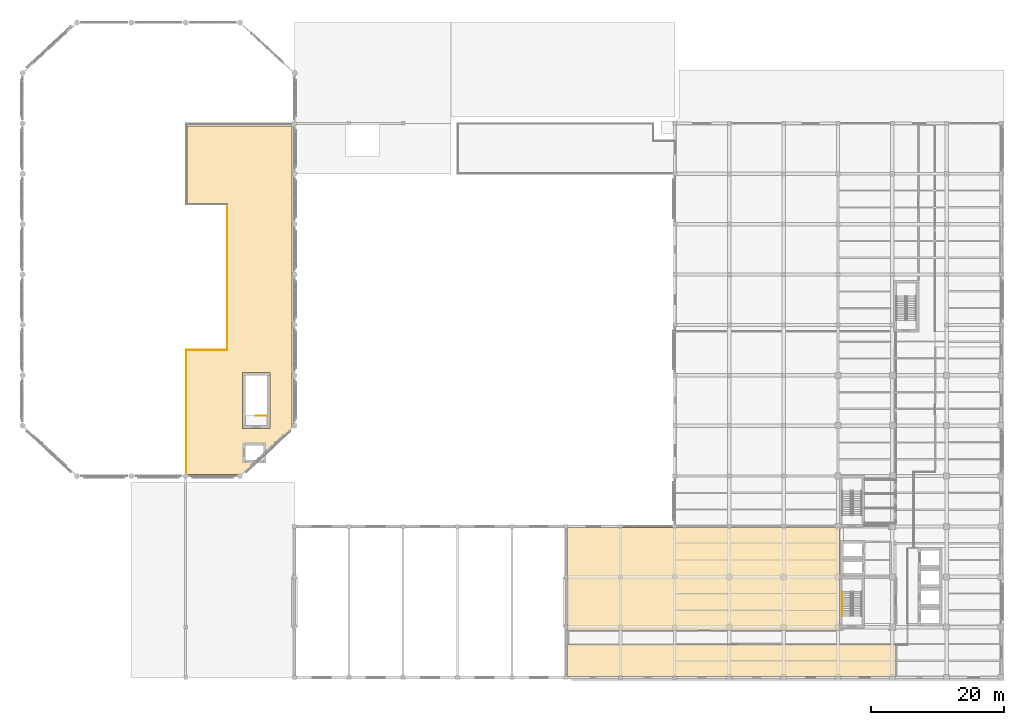
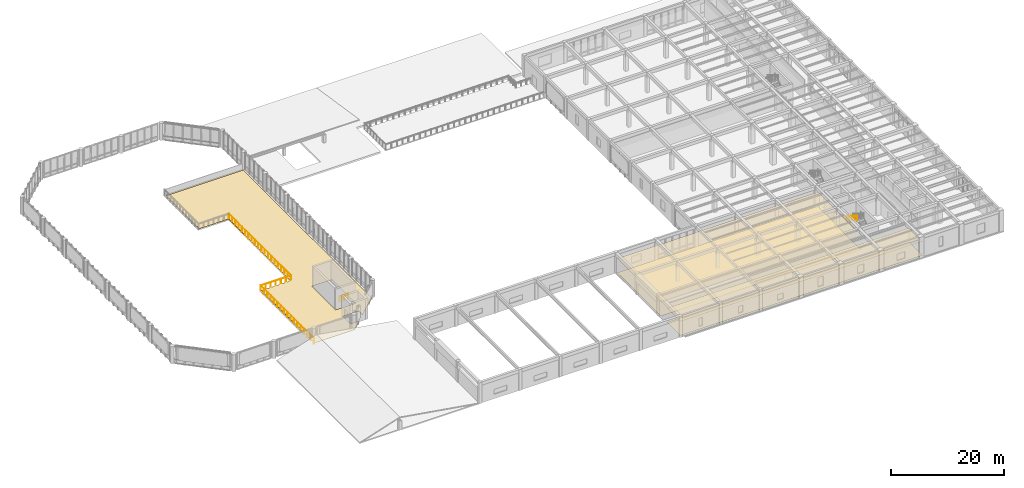
# One storey, part 46 of 49: 5 coverings, 5 railings.
"""IFC4 building model written with IfcOpenShell, lengths in metres."""

from ifc_helpers import new_model, si_unit, direction, frame, origin, origin_2d, place, context, subcontext, project, spatial, polyline, circle, outline, extrude, material, layer, layer_set, type_object, element, save


model = new_model("IFC4")

# Units and contexts
model_context = context("Model", 3, precision=1e-05, world=origin(), true_north=direction((0.0, 1.0)))
body_context = subcontext(model_context, "Body", "Model", "MODEL_VIEW")
ifc_project = project(units=[si_unit("LENGTHUNIT", "METRE"), si_unit("AREAUNIT", "SQUARE_METRE"), si_unit("VOLUMEUNIT", "CUBIC_METRE"), si_unit("PLANEANGLEUNIT", "RADIAN"), si_unit("MASSUNIT", "GRAM", prefix="KILO")], contexts=[model_context])

# Site, building, storey
site_placement = place(None, origin())
site = spatial("IfcSite", under=ifc_project, at=site_placement, CompositionType="ELEMENT")
building_placement = place(site_placement, origin())
building = spatial("IfcBuilding", under=site, at=building_placement, Name="Qandaris Square Conservatory and Botanical Centre", CompositionType="ELEMENT")
storey_placement = place(building_placement, frame((0.0, 0.0, 10.199951171875)))
storey = spatial("IfcBuildingStorey", under=building, at=storey_placement, Name="L02", CompositionType="ELEMENT", Elevation=10.199951171875)

# Railings
ifc_material_1 = material(Name="Tempered Low-E Glass", Category="glass")
railing_type_1 = type_object("IfcRailingType", Name="Conservatory Skywalk Glazed Balustrade 1150mm", PredefinedType="BALUSTRADE", material=ifc_material_1)
railing_1_placement = place(storey_placement, frame((40.8798828125, 47.080078125, 0.0)))
element("IfcRailing", 1, at=railing_1_placement, inside=storey, type_object=railing_type_1, Name="Conservatory L02 Overlook Balustrade 1", PredefinedType="BALUSTRADE", context=body_context, shape_type="SweptSolid", body=[
    extrude(circle(Radius=0.02392578125, at=origin_2d()), frame((0.0, 0.0, 1.1259765625), z_axis=(0.0, 1.0, 0.0), x_axis=(-1.0, 0.0, 0.0)), (0.0, 0.0, 1.0), 18.919921875),
    extrude(circle(Radius=0.02099609375, at=origin_2d()), origin(), (0.0, 0.0, 1.0), 1.101806640625),
    extrude(circle(Radius=0.02099609375, at=origin_2d()), frame((0.0, 1.1826171875, 0.0)), (0.0, 0.0, 1.0), 1.101806640625),
    extrude(circle(Radius=0.02099609375, at=origin_2d()), frame((0.0, 2.364990234375, 0.0)), (0.0, 0.0, 1.0), 1.101806640625),
    extrude(circle(Radius=0.02099609375, at=origin_2d()), frame((0.0, 3.54736328125, 0.0)), (0.0, 0.0, 1.0), 1.101806640625),
    extrude(circle(Radius=0.02099609375, at=origin_2d()), frame((0.0, 4.72998046875, 0.0)), (0.0, 0.0, 1.0), 1.101806640625),
    extrude(circle(Radius=0.02099609375, at=origin_2d()), frame((0.0, 5.91259765625, 0.0)), (0.0, 0.0, 1.0), 1.101806640625),
    extrude(circle(Radius=0.02099609375, at=origin_2d()), frame((0.0, 7.094970703125, 0.0)), (0.0, 0.0, 1.0), 1.101806640625),
    extrude(circle(Radius=0.02099609375, at=origin_2d()), frame((0.0, 8.27734375, 0.0)), (0.0, 0.0, 1.0), 1.101806640625),
    extrude(circle(Radius=0.02099609375, at=origin_2d()), frame((0.0, 9.4599609375, 0.0)), (0.0, 0.0, 1.0), 1.101806640625),
    extrude(circle(Radius=0.02099609375, at=origin_2d()), frame((0.0, 10.642578125, 0.0)), (0.0, 0.0, 1.0), 1.101806640625),
    extrude(circle(Radius=0.02099609375, at=origin_2d()), frame((0.0, 11.824951171875, 0.0)), (0.0, 0.0, 1.0), 1.101806640625),
    extrude(circle(Radius=0.02099609375, at=origin_2d()), frame((0.0, 13.00732421875, 0.0)), (0.0, 0.0, 1.0), 1.101806640625),
    extrude(circle(Radius=0.02099609375, at=origin_2d()), frame((0.0, 14.18994140625, 0.0)), (0.0, 0.0, 1.0), 1.101806640625),
    extrude(circle(Radius=0.02099609375, at=origin_2d()), frame((0.0, 15.37255859375, 0.0)), (0.0, 0.0, 1.0), 1.101806640625),
    extrude(circle(Radius=0.02099609375, at=origin_2d()), frame((0.0, 16.554931640625, 0.0)), (0.0, 0.0, 1.0), 1.101806640625),
    extrude(circle(Radius=0.02099609375, at=origin_2d()), frame((0.0, 17.7373046875, 0.0)), (0.0, 0.0, 1.0), 1.101806640625),
    extrude(circle(Radius=0.02099609375, at=origin_2d()), frame((0.0, 18.919921875, 0.0)), (0.0, 0.0, 1.0), 1.101806640625),
])
railing_2_placement = place(storey_placement, frame((40.8798828125, 66.0, 0.0)))
element("IfcRailing", 2, at=railing_2_placement, inside=storey, type_object=railing_type_1, Name="Conservatory L02 Overlook Balustrade 2", PredefinedType="BALUSTRADE", context=body_context, shape_type="SweptSolid", body=[
    extrude(circle(Radius=0.02392578125, at=origin_2d()), frame((0.0, 0.0, 1.1259765625), z_axis=(1.0, 0.0, 0.0), x_axis=(0.0, 1.0, 0.0)), (0.0, 0.0, 1.0), 6.2001953125),
    extrude(circle(Radius=0.02099609375, at=origin_2d()), origin(), (0.0, 0.0, 1.0), 1.101806640625),
    extrude(circle(Radius=0.02099609375, at=origin_2d()), frame((1.033447265625, 0.0, 0.0)), (0.0, 0.0, 1.0), 1.101806640625),
    extrude(circle(Radius=0.02099609375, at=origin_2d()), frame((2.066650390625, 0.0, 0.0)), (0.0, 0.0, 1.0), 1.101806640625),
    extrude(circle(Radius=0.02099609375, at=origin_2d()), frame((3.10009765625, 0.0, 0.0)), (0.0, 0.0, 1.0), 1.101806640625),
    extrude(circle(Radius=0.02099609375, at=origin_2d()), frame((4.133544921875, 0.0, 0.0)), (0.0, 0.0, 1.0), 1.101806640625),
    extrude(circle(Radius=0.02099609375, at=origin_2d()), frame((5.166748046875, 0.0, 0.0)), (0.0, 0.0, 1.0), 1.101806640625),
    extrude(circle(Radius=0.02099609375, at=origin_2d()), frame((6.2001953125, 0.0, 0.0)), (0.0, 0.0, 1.0), 1.101806640625),
])
railing_3_placement = place(storey_placement, frame((47.080078125, 66.0, 0.0)))
element("IfcRailing", 3, at=railing_3_placement, inside=storey, type_object=railing_type_1, Name="Conservatory L02 Overlook Balustrade 3", PredefinedType="BALUSTRADE", context=body_context, shape_type="SweptSolid", body=[
    extrude(circle(Radius=0.02392578125, at=origin_2d()), frame((0.0, 0.0, 1.1259765625), z_axis=(0.0, 1.0, 0.0), x_axis=(-1.0, 0.0, 0.0)), (0.0, 0.0, 1.0), 22.0),
    extrude(circle(Radius=0.02099609375, at=origin_2d()), origin(), (0.0, 0.0, 1.0), 1.101806640625),
    extrude(circle(Radius=0.02099609375, at=origin_2d()), frame((0.0, 1.157958984375, 0.0)), (0.0, 0.0, 1.0), 1.101806640625),
    extrude(circle(Radius=0.02099609375, at=origin_2d()), frame((0.0, 2.315673828125, 0.0)), (0.0, 0.0, 1.0), 1.101806640625),
    extrude(circle(Radius=0.02099609375, at=origin_2d()), frame((0.0, 3.4736328125, 0.0)), (0.0, 0.0, 1.0), 1.101806640625),
    extrude(circle(Radius=0.02099609375, at=origin_2d()), frame((0.0, 4.631591796875, 0.0)), (0.0, 0.0, 1.0), 1.101806640625),
    extrude(circle(Radius=0.02099609375, at=origin_2d()), frame((0.0, 5.78955078125, 0.0)), (0.0, 0.0, 1.0), 1.101806640625),
    extrude(circle(Radius=0.02099609375, at=origin_2d()), frame((0.0, 6.947265625, 0.0)), (0.0, 0.0, 1.0), 1.101806640625),
    extrude(circle(Radius=0.02099609375, at=origin_2d()), frame((0.0, 8.105224609375, 0.0)), (0.0, 0.0, 1.0), 1.101806640625),
    extrude(circle(Radius=0.02099609375, at=origin_2d()), frame((0.0, 9.26318359375, 0.0)), (0.0, 0.0, 1.0), 1.101806640625),
    extrude(circle(Radius=0.02099609375, at=origin_2d()), frame((0.0, 10.421142578125, 0.0)), (0.0, 0.0, 1.0), 1.101806640625),
    extrude(circle(Radius=0.02099609375, at=origin_2d()), frame((0.0, 11.578857421875, 0.0)), (0.0, 0.0, 1.0), 1.101806640625),
    extrude(circle(Radius=0.02099609375, at=origin_2d()), frame((0.0, 12.73681640625, 0.0)), (0.0, 0.0, 1.0), 1.101806640625),
    extrude(circle(Radius=0.02099609375, at=origin_2d()), frame((0.0, 13.894775390625, 0.0)), (0.0, 0.0, 1.0), 1.101806640625),
    extrude(circle(Radius=0.02099609375, at=origin_2d()), frame((0.0, 15.052734375, 0.0)), (0.0, 0.0, 1.0), 1.101806640625),
    extrude(circle(Radius=0.02099609375, at=origin_2d()), frame((0.0, 16.21044921875, 0.0)), (0.0, 0.0, 1.0), 1.101806640625),
    extrude(circle(Radius=0.02099609375, at=origin_2d()), frame((0.0, 17.368408203125, 0.0)), (0.0, 0.0, 1.0), 1.101806640625),
    extrude(circle(Radius=0.02099609375, at=origin_2d()), frame((0.0, 18.5263671875, 0.0)), (0.0, 0.0, 1.0), 1.101806640625),
    extrude(circle(Radius=0.02099609375, at=origin_2d()), frame((0.0, 19.684326171875, 0.0)), (0.0, 0.0, 1.0), 1.101806640625),
    extrude(circle(Radius=0.02099609375, at=origin_2d()), frame((0.0, 20.842041015625, 0.0)), (0.0, 0.0, 1.0), 1.101806640625),
    extrude(circle(Radius=0.02099609375, at=origin_2d()), frame((0.0, 22.0, 0.0)), (0.0, 0.0, 1.0), 1.101806640625),
])

# Coverings
ifc_material_2 = material(Name="Honed Qatari Limestone", Category="masonry")
ifc_layer_1 = layer(ifc_material_2, 0.030029296875)
ifc_layer_set_1 = layer_set([ifc_layer_1], Name="Honed Qatari Limestone")
covering_type_1 = type_object("IfcCoveringType", Name="Honed Qatari Limestone Concourse Paving", PredefinedType="FLOORING", material=ifc_layer_set_1)
covering_1_placement = place(storey_placement, origin())
element("IfcCovering", 4, at=covering_1_placement, inside=storey, type_object=covering_type_1, Name="Conservatory High Canopy Overlook Flooring", PredefinedType="FLOORING", context=body_context, shape_type="SweptSolid", body=[
    extrude(outline(polyline([(47.0, 66.0), (47.0, 88.0), (41.0, 88.0), (41.0, 99.800048828125), (56.800048828125, 99.800048828125), (56.800048828125, 54.229248046875), (52.739990234375, 50.46630859375), (52.739990234375, 51.840087890625), (49.56005859375, 51.840087890625), (49.56005859375, 49.159912109375), (51.33056640625, 49.159912109375), (49.2158203125, 47.199951171875), (41.0, 47.199951171875), (41.0, 66.0), (47.0, 66.0)]), holes=[polyline([(49.39990234375, 54.199951171875), (53.5, 54.199951171875), (53.5, 62.60009765625), (49.39990234375, 62.60009765625), (49.39990234375, 54.199951171875)])]), origin(), (0.0, 0.0, 1.0), 0.030029296875),
])
ifc_material_3 = material(Name="Gypsum Plasterboard", Category="gypsum")
ifc_layer_2 = layer(ifc_material_3, 0.02490234375)
ifc_layer_set_2 = layer_set([ifc_layer_2], Name="Gypsum Plasterboard")
covering_type_2 = type_object("IfcCoveringType", Name="Perforated Acoustic Lab Ceiling Tile", PredefinedType="CEILING", material=ifc_layer_set_2)
covering_2_placement = place(storey_placement, frame((0.0, 0.0, 3.050048828125)))
element("IfcCovering", 5, at=covering_2_placement, inside=storey, type_object=covering_type_2, Name="Halophyte Herbarium Archive West Ceiling", PredefinedType="CEILING", context=body_context, shape_type="SweptSolid", body=[
    extrude(outline(polyline([(98.60009765625, 21.550048828125), (147.949951171875, 21.550048828125), (147.949951171875, 16.780029296875), (98.3798828125, 16.780029296875), (98.3798828125, 21.550048828125), (98.60009765625, 21.550048828125)])), origin(), (0.0, 0.0, 1.0), 0.02490234375),
])
covering_3_placement = place(storey_placement, frame((0.0, 0.0, 3.050048828125)))
element("IfcCovering", 6, at=covering_3_placement, inside=storey, type_object=covering_type_2, Name="Arid Lands Type Specimen Vault Ceiling", PredefinedType="CEILING", context=body_context, shape_type="SweptSolid", body=[
    extrude(outline(polyline([(114.635009765625, 39.223388671875), (114.65234375, 39.227783203125), (114.6689453125, 39.233642578125), (114.684814453125, 39.2412109375), (114.699462890625, 39.25), (139.5, 39.25), (139.5, 31.89990234375), (139.39990234375, 31.89990234375), (139.39990234375, 24.10009765625), (139.5, 24.10009765625), (139.5, 23.699951171875), (98.60009765625, 23.699951171875), (98.3798828125, 23.699951171875), (98.3798828125, 39.219970703125), (114.60009765625, 39.219970703125), (114.61767578125, 39.220947265625), (114.635009765625, 39.223388671875)])), origin(), (0.0, 0.0, 1.0), 0.02490234375),
])
ifc_material_4 = material(Name="Epoxy Resin Screed", Category="finish")
ifc_layer_3 = layer(ifc_material_4, 0.014892578125)
ifc_layer_set_3 = layer_set([ifc_layer_3], Name="Epoxy Resin Screed")
covering_type_3 = type_object("IfcCoveringType", Name="Seamless Epoxy Laboratory Flooring", PredefinedType="FLOORING", material=ifc_layer_set_3)
covering_4_placement = place(storey_placement, origin())
element("IfcCovering", 7, at=covering_4_placement, inside=storey, type_object=covering_type_3, Name="Halophyte Herbarium Archive West Flooring", PredefinedType="FLOORING", context=body_context, shape_type="SweptSolid", body=[
    extrude(outline(polyline([(98.60009765625, 21.550048828125), (147.949951171875, 21.550048828125), (147.949951171875, 16.780029296875), (98.3798828125, 16.780029296875), (98.3798828125, 21.550048828125), (98.60009765625, 21.550048828125)])), origin(), (0.0, 0.0, 1.0), 0.01513671875),
])
covering_5_placement = place(storey_placement, origin())
element("IfcCovering", 8, at=covering_5_placement, inside=storey, type_object=covering_type_3, Name="Arid Lands Type Specimen Vault Flooring", PredefinedType="FLOORING", context=body_context, shape_type="SweptSolid", body=[
    extrude(outline(polyline([(114.635009765625, 39.223388671875), (114.65234375, 39.227783203125), (114.6689453125, 39.233642578125), (114.684814453125, 39.2412109375), (114.699462890625, 39.25), (139.5, 39.25), (139.5, 31.89990234375), (139.39990234375, 31.89990234375), (139.39990234375, 24.10009765625), (139.5, 24.10009765625), (139.5, 23.699951171875), (98.60009765625, 23.699951171875), (98.3798828125, 23.699951171875), (98.3798828125, 39.219970703125), (114.60009765625, 39.219970703125), (114.61767578125, 39.220947265625), (114.635009765625, 39.223388671875)])), origin(), (0.0, 0.0, 1.0), 0.01513671875),
])

# Railings
ifc_material_5 = material(Name="Stainless Steel", Category="steel")
railing_type_2 = type_object("IfcRailingType", Name="Stair Tubular Handrail 920mm", PredefinedType="HANDRAIL", material=ifc_material_5)
railing_4_placement = place(storey_placement, frame((139.85009765625, 29.5400390625, 2.742919921875)))
element("IfcRailing", 9, at=railing_4_placement, inside=storey, type_object=railing_type_2, Name="L02 ST-1 stair handrail 2", PredefinedType="HANDRAIL", context=body_context, shape_type="SweptSolid", body=[
    extrude(circle(Radius=0.02392578125, at=origin_2d()), frame((0.0, 0.0, 0.89599609375), z_axis=(0.0, -0.852865859571, 0.52213008492), x_axis=(1.0, 0.0, 0.0)), (0.0, 0.0, 1.0), 4.26806640625),
    extrude(circle(Radius=0.02099609375, at=origin_2d()), origin(), (0.0, 0.0, 1.0), 0.871826171875),
    extrude(circle(Radius=0.02099609375, at=origin_2d()), frame((0.0, -0.91015625, 0.55712890625)), (0.0, 0.0, 1.0), 0.871826171875),
    extrude(circle(Radius=0.02099609375, at=origin_2d()), frame((0.0, -1.820068359375, 1.1142578125)), (0.0, 0.0, 1.0), 0.871826171875),
    extrude(circle(Radius=0.02099609375, at=origin_2d()), frame((0.0, -2.72998046875, 1.67138671875)), (0.0, 0.0, 1.0), 0.871826171875),
    extrude(circle(Radius=0.02099609375, at=origin_2d()), frame((0.0, -3.64013671875, 2.228515625)), (0.0, 0.0, 1.0), 0.871826171875),
])
railing_type_3 = type_object("IfcRailingType", Name="Stairwell & Atrium Guardrail 1120mm", PredefinedType="GUARDRAIL", material=ifc_material_5)
railing_5_placement = place(storey_placement, frame((53.10009765625, 56.10009765625, 0.0)))
element("IfcRailing", 10, at=railing_5_placement, inside=storey, type_object=railing_type_3, Name="L02 ST-5 top well guard 1", PredefinedType="GUARDRAIL", context=body_context, shape_type="SweptSolid", body=[
    extrude(circle(Radius=0.02392578125, at=origin_2d()), frame((0.0, 0.0, 1.09619140625), z_axis=(-1.0, 0.0, 0.0), x_axis=(0.0, -1.0, 0.0)), (0.0, 0.0, 1.0), 1.75),
    extrude(circle(Radius=0.02099609375, at=origin_2d()), origin(), (0.0, 0.0, 1.0), 1.072021484375),
    extrude(circle(Radius=0.02099609375, at=origin_2d()), frame((-0.875, 0.0, 0.0)), (0.0, 0.0, 1.0), 1.072021484375),
    extrude(circle(Radius=0.02099609375, at=origin_2d()), frame((-1.75, 0.0, 0.0)), (0.0, 0.0, 1.0), 1.072021484375),
])

save(model, "model.ifc")
